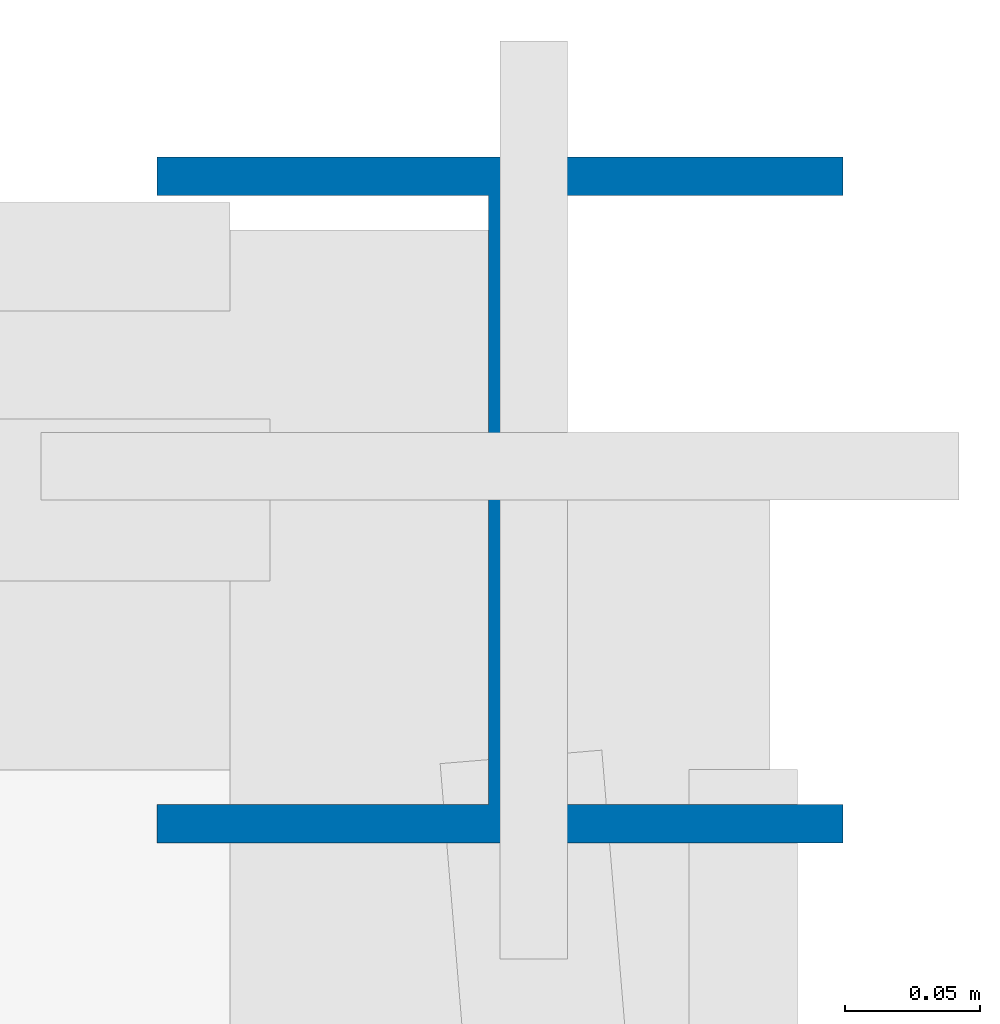
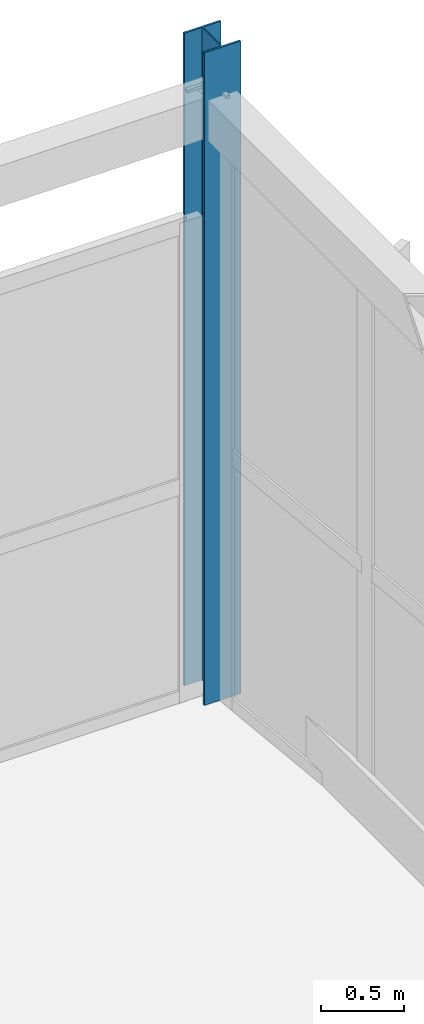
# One storey, part 61 of 226: 1 column.
"""IFC4 building model written with IfcOpenShell, lengths in metres."""

from ifc_helpers import new_model, si_unit, direction, frame, origin, origin_2d, place, context, subcontext, project, spatial, i_section, extrude, material, material_profile, profile_set, type_object, element, save


model = new_model("IFC4")

# Units and contexts
model_context = context("Model", 3, precision=1e-05, world=origin(), true_north=direction((0.0, 1.0)))
body_context = subcontext(model_context, "Body", "Model", "MODEL_VIEW")
ifc_project = project(units=[si_unit("LENGTHUNIT", "METRE"), si_unit("AREAUNIT", "SQUARE_METRE"), si_unit("VOLUMEUNIT", "CUBIC_METRE"), si_unit("PLANEANGLEUNIT", "RADIAN"), si_unit("MASSUNIT", "GRAM", prefix="KILO")], contexts=[model_context])

# Site, building, storey
site_placement = place(None, origin())
site = spatial("IfcSite", under=ifc_project, at=site_placement, CompositionType="ELEMENT")
building_placement = place(site_placement, origin())
building = spatial("IfcBuilding", under=site, at=building_placement, Name="Tarnwether General Hospital", CompositionType="ELEMENT")
storey_placement = place(building_placement, frame((0.0, 0.0, 4.800048828125)))
storey = spatial("IfcBuildingStorey", under=building, at=storey_placement, Name="L01", CompositionType="ELEMENT", Elevation=4.800048828125)

# Column
ifc_material = material(Name="Steel Grade 350 (350 MPa)", Category="steel")
ifc_material_profile = material_profile(ifc_material, i_section(OverallWidth=0.25390625, OverallDepth=0.25390625, WebThickness=0.008544921875, FlangeThickness=0.01416015625, at=origin_2d()), Name="250UC72.9")
ifc_profile_set = profile_set([ifc_material_profile], Name="Steel Grade 350 (350 MPa)")
column_type = type_object("IfcColumnType", Name="COL-24", PredefinedType="COLUMN", material=ifc_profile_set)
column_placement = place(storey_placement, frame((192.0, 126.0, 0.0), z_axis=(0.0, 0.0, 1.0), x_axis=(1.0, 0.0, 0.0)))
element("IfcColumn", 1, at=column_placement, inside=storey, type_object=column_type, Name="Column COLG-L01-19200_12600", PredefinedType="COLUMN", context=body_context, shape_type="SweptSolid", body=[
    extrude(i_section(OverallWidth=0.25390625, OverallDepth=0.25390625, WebThickness=0.008544921875, FlangeThickness=0.01416015625, at=origin_2d()), origin(), (0.0, 0.0, 1.0), 4.800048828125),
])

save(model, "model.ifc")
